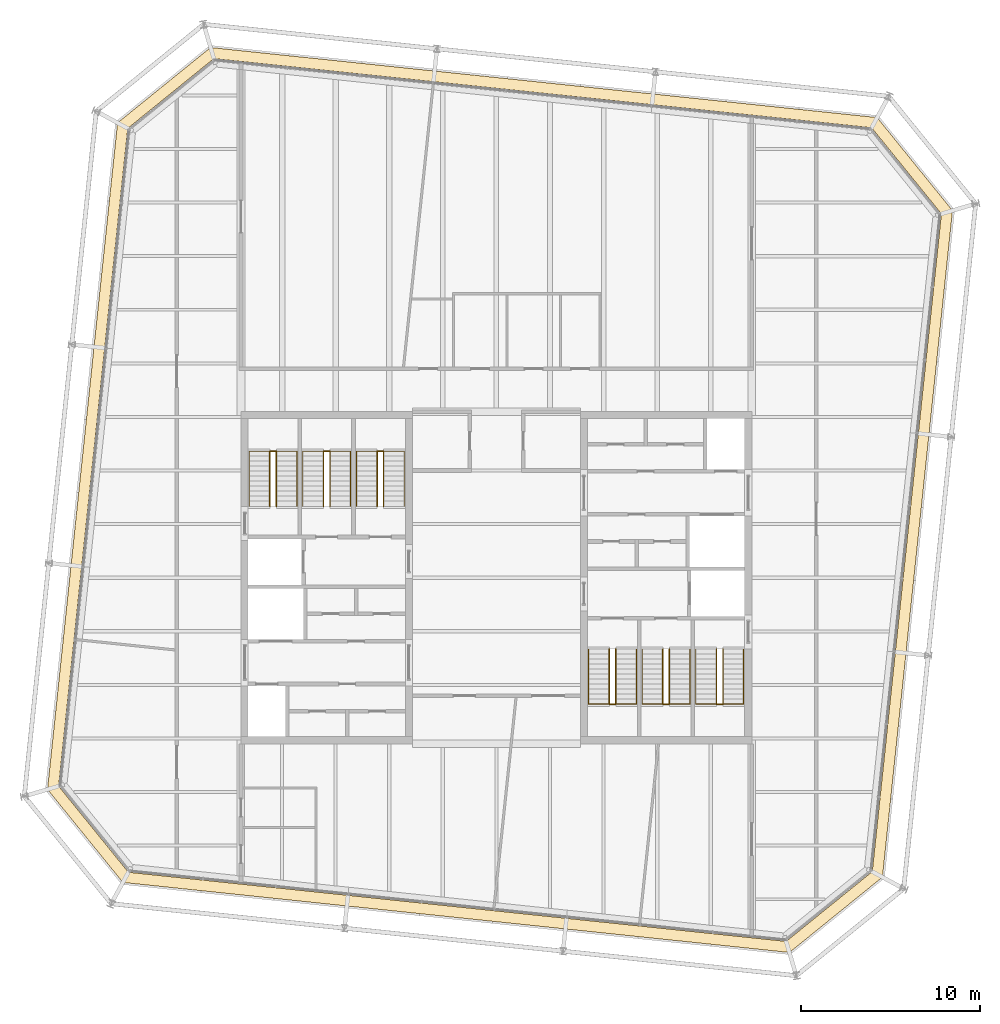
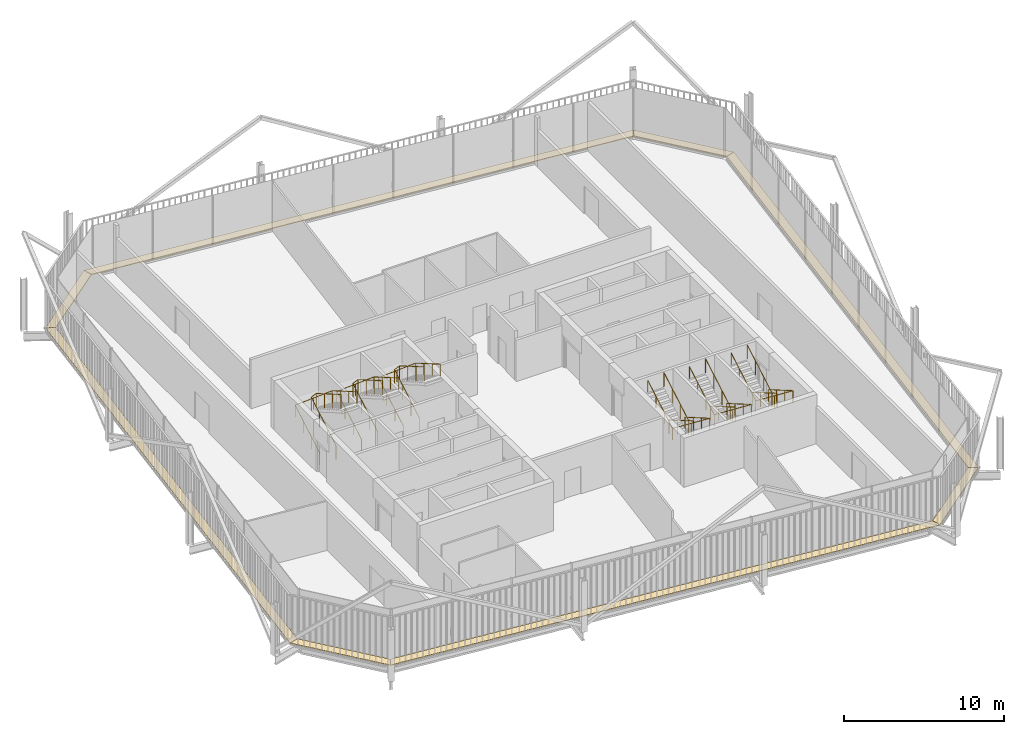
# One storey, part 21 of 21: 12 railings, 8 coverings.
"""IFC4 building model written with IfcOpenShell, lengths in metres."""

from ifc_helpers import new_model, si_unit, direction, frame, origin, origin_2d, place, context, subcontext, project, spatial, polyline, circle, outline, extrude, material, layer, layer_set, type_object, element, save


model = new_model("IFC4")

# Units and contexts
model_context = context("Model", 3, precision=1e-05, world=origin(), true_north=direction((0.0, 1.0)))
body_context = subcontext(model_context, "Body", "Model", "MODEL_VIEW")
ifc_project = project(units=[si_unit("LENGTHUNIT", "METRE"), si_unit("AREAUNIT", "SQUARE_METRE"), si_unit("VOLUMEUNIT", "CUBIC_METRE"), si_unit("PLANEANGLEUNIT", "RADIAN"), si_unit("MASSUNIT", "GRAM", prefix="KILO")], contexts=[model_context])

# Site, building, storey
site_placement = place(None, origin())
site = spatial("IfcSite", under=ifc_project, at=site_placement, CompositionType="ELEMENT")
building_placement = place(site_placement, origin())
building = spatial("IfcBuilding", under=site, at=building_placement, Name="Millrace Tower", CompositionType="ELEMENT")
storey_placement = place(building_placement, frame((0.0, 0.0, 326.5)))
storey = spatial("IfcBuildingStorey", under=building, at=storey_placement, Name="L75", CompositionType="ELEMENT", Elevation=326.5)

# Coverings
ifc_material_1 = material(Name="Steel ASTM A36", Category="steel")
ifc_layer = layer(ifc_material_1, 0.050048828125)
ifc_layer_set = layer_set([ifc_layer], Name="Steel ASTM A36")
covering_type = type_object("IfcCoveringType", Name="CAVITY CATWALK steel grating", PredefinedType="FLOORING", material=ifc_layer_set)
placement = place(storey_placement, frame((0.0, 0.0, 0.10009765625)))
element("IfcCovering", 1, at=placement, inside=storey, type_object=covering_type, Name="Cavity catwalk grating E-F01 L75 1", PredefinedType="FLOORING", context=body_context, shape_type="SweptSolid", body=[
    extrude(outline(polyline([(-25.13232421875, -11.8515625), (-20.914306640625, -17.060302734375), (-20.6044921875, -16.489501953125), (-24.509521484375, -11.6669921875), (-25.13232421875, -11.8515625)])), origin(), (0.0, 0.0, 1.0), 0.0498046875),
])
element("IfcCovering", 2, at=placement, inside=storey, type_object=covering_type, Name="Cavity catwalk grating E-F02 L75 1", PredefinedType="FLOORING", context=body_context, shape_type="SweptSolid", body=[
    extrude(outline(polyline([(-20.914306640625, -17.060302734375), (16.4013671875, -20.982177734375), (16.217041015625, -20.359619140625), (-20.6044921875, -16.489501953125), (-20.914306640625, -17.060302734375)])), origin(), (0.0, 0.0, 1.0), 0.0498046875),
])
element("IfcCovering", 3, at=placement, inside=storey, type_object=covering_type, Name="Cavity catwalk grating E-F03 L75 1", PredefinedType="FLOORING", context=body_context, shape_type="SweptSolid", body=[
    extrude(outline(polyline([(16.4013671875, -20.982177734375), (21.6103515625, -16.764404296875), (21.03955078125, -16.454345703125), (16.217041015625, -20.359619140625), (16.4013671875, -20.982177734375)])), origin(), (0.0, 0.0, 1.0), 0.0498046875),
])
element("IfcCovering", 4, at=placement, inside=storey, type_object=covering_type, Name="Cavity catwalk grating E-F04 L75 1", PredefinedType="FLOORING", context=body_context, shape_type="SweptSolid", body=[
    extrude(outline(polyline([(21.6103515625, -16.764404296875), (25.5322265625, 20.551513671875), (24.90966796875, 20.366943359375), (21.03955078125, -16.454345703125), (21.6103515625, -16.764404296875)])), origin(), (0.0, 0.0, 1.0), 0.0498046875),
])
element("IfcCovering", 5, at=placement, inside=storey, type_object=covering_type, Name="Cavity catwalk grating E-F05 L75 1", PredefinedType="FLOORING", context=body_context, shape_type="SweptSolid", body=[
    extrude(outline(polyline([(25.5322265625, 20.551513671875), (21.314208984375, 25.76025390625), (21.00439453125, 25.189453125), (24.90966796875, 20.366943359375), (25.5322265625, 20.551513671875)])), origin(), (0.0, 0.0, 1.0), 0.0498046875),
])
element("IfcCovering", 6, at=placement, inside=storey, type_object=covering_type, Name="Cavity catwalk grating E-F06 L75 1", PredefinedType="FLOORING", context=body_context, shape_type="SweptSolid", body=[
    extrude(outline(polyline([(21.314208984375, 25.76025390625), (-16.00146484375, 29.682373046875), (-15.817138671875, 29.0595703125), (21.00439453125, 25.189453125), (21.314208984375, 25.76025390625)])), origin(), (0.0, 0.0, 1.0), 0.0498046875),
])
element("IfcCovering", 7, at=placement, inside=storey, type_object=covering_type, Name="Cavity catwalk grating E-F07 L75 1", PredefinedType="FLOORING", context=body_context, shape_type="SweptSolid", body=[
    extrude(outline(polyline([(-16.00146484375, 29.682373046875), (-21.210205078125, 25.46435546875), (-20.639404296875, 25.154541015625), (-15.817138671875, 29.0595703125), (-16.00146484375, 29.682373046875)])), origin(), (0.0, 0.0, 1.0), 0.0498046875),
])
element("IfcCovering", 8, at=placement, inside=storey, type_object=covering_type, Name="Cavity catwalk grating E-F08 L75 1", PredefinedType="FLOORING", context=body_context, shape_type="SweptSolid", body=[
    extrude(outline(polyline([(-21.210205078125, 25.46435546875), (-25.13232421875, -11.8515625), (-24.509521484375, -11.6669921875), (-20.639404296875, 25.154541015625), (-21.210205078125, 25.46435546875)])), origin(), (0.0, 0.0, 1.0), 0.0498046875),
])

# Railings
ifc_material_2 = material(Name="Stainless steel ASTM A240 type 316", Category="steel")
railing_type_1 = type_object("IfcRailingType", Name="Stair guard 1100", PredefinedType="GUARDRAIL", material=ifc_material_2)
for number, where, name in (
    (9, (-12.679931640625, 4.0, 0.16259765625), "Stair guard 1 W L75"),
    (10, (-9.679931640625, 4.0, 0.16259765625), "Stair guard 2 W L75"),
    (11, (-6.679931640625, 4.0, 0.16259765625), "Stair guard 3 W L75"),
):
    element("IfcRailing", number, at=place(storey_placement, frame(where)), inside=storey, type_object=railing_type_1, Name=name, PredefinedType="GUARDRAIL", context=body_context, shape_type="SweptSolid", body=[
        extrude(circle(Radius=0.02392578125, at=origin_2d()), frame((0.0, 0.0, 1.076171875), z_axis=(0.0, 0.864920483161, 0.501908913857), x_axis=(-1.0, 0.0, 0.0)), (0.0, 0.0, 1.0), 3.56103515625),
        extrude(circle(Radius=0.02392578125, at=origin_2d()), frame((0.0, 3.080078125, 2.86328125), z_axis=(0.911295775139, 0.0, 0.411752365158), x_axis=(0.0, 1.0, 0.0)), (0.0, 0.0, 1.0), 0.394775390625),
        extrude(circle(Radius=0.02392578125, at=origin_2d()), frame((0.35986328125, 3.080078125, 3.02587890625), z_axis=(0.0, -0.864920483161, 0.501908913857), x_axis=(1.0, 0.0, 0.0)), (0.0, 0.0, 1.0), 3.56103515625),
        extrude(circle(Radius=0.02099609375, at=origin_2d()), origin(), (0.0, 0.0, 1.0), 1.052001953125),
        extrude(circle(Radius=0.02099609375, at=origin_2d()), frame((0.0, 1.026611328125, 0.595703125)), (0.0, 0.0, 1.0), 1.052001953125),
        extrude(circle(Radius=0.02099609375, at=origin_2d()), frame((0.0, 2.053466796875, 1.191650390625)), (0.0, 0.0, 1.0), 1.052001953125),
        extrude(circle(Radius=0.02099609375, at=origin_2d()), frame((0.0, 3.080078125, 1.787353515625)), (0.0, 0.0, 1.0), 1.052001953125),
        extrude(circle(Radius=0.02099609375, at=origin_2d()), frame((0.35986328125, 3.080078125, 1.949951171875)), (0.0, 0.0, 1.0), 1.052001953125),
        extrude(circle(Radius=0.02099609375, at=origin_2d()), frame((0.35986328125, 2.053466796875, 2.545654296875)), (0.0, 0.0, 1.0), 1.052001953125),
        extrude(circle(Radius=0.02099609375, at=origin_2d()), frame((0.35986328125, 1.026611328125, 3.1416015625)), (0.0, 0.0, 1.0), 1.052001953125),
        extrude(circle(Radius=0.02099609375, at=origin_2d()), frame((0.35986328125, 0.0, 3.7373046875)), (0.0, 0.0, 1.0), 1.052001953125),
    ])
for number, where, name in (
    (12, (12.679931640625, -4.0, 0.16259765625), "Stair guard 1 E L75"),
    (13, (9.679931640625, -4.0, 0.16259765625), "Stair guard 2 E L75"),
    (14, (6.679931640625, -4.0, 0.16259765625), "Stair guard 3 E L75"),
):
    element("IfcRailing", number, at=place(storey_placement, frame(where)), inside=storey, type_object=railing_type_1, Name=name, PredefinedType="GUARDRAIL", context=body_context, shape_type="SweptSolid", body=[
        extrude(circle(Radius=0.02392578125, at=origin_2d()), frame((0.0, 0.0, 1.076171875), z_axis=(0.0, -0.864920483161, 0.501908913857), x_axis=(1.0, 0.0, 0.0)), (0.0, 0.0, 1.0), 3.56103515625),
        extrude(circle(Radius=0.02392578125, at=origin_2d()), frame((0.0, -3.080078125, 2.86328125), z_axis=(-0.911295775139, 0.0, 0.411752365158), x_axis=(0.0, -1.0, 0.0)), (0.0, 0.0, 1.0), 0.394775390625),
        extrude(circle(Radius=0.02392578125, at=origin_2d()), frame((-0.35986328125, -3.080078125, 3.02587890625), z_axis=(0.0, 0.864920483161, 0.501908913857), x_axis=(-1.0, 0.0, 0.0)), (0.0, 0.0, 1.0), 3.56103515625),
        extrude(circle(Radius=0.02099609375, at=origin_2d()), origin(), (0.0, 0.0, 1.0), 1.052001953125),
        extrude(circle(Radius=0.02099609375, at=origin_2d()), frame((0.0, -1.026611328125, 0.595703125)), (0.0, 0.0, 1.0), 1.052001953125),
        extrude(circle(Radius=0.02099609375, at=origin_2d()), frame((0.0, -2.053466796875, 1.191650390625)), (0.0, 0.0, 1.0), 1.052001953125),
        extrude(circle(Radius=0.02099609375, at=origin_2d()), frame((0.0, -3.080078125, 1.787353515625)), (0.0, 0.0, 1.0), 1.052001953125),
        extrude(circle(Radius=0.02099609375, at=origin_2d()), frame((-0.35986328125, -3.080078125, 1.949951171875)), (0.0, 0.0, 1.0), 1.052001953125),
        extrude(circle(Radius=0.02099609375, at=origin_2d()), frame((-0.35986328125, -2.053466796875, 2.545654296875)), (0.0, 0.0, 1.0), 1.052001953125),
        extrude(circle(Radius=0.02099609375, at=origin_2d()), frame((-0.35986328125, -1.026611328125, 3.1416015625)), (0.0, 0.0, 1.0), 1.052001953125),
        extrude(circle(Radius=0.02099609375, at=origin_2d()), frame((-0.35986328125, 0.0, 3.7373046875)), (0.0, 0.0, 1.0), 1.052001953125),
    ])
ifc_material_3 = material(Name="Stainless steel ASTM A240 type 316", Category="steel")
railing_type_2 = type_object("IfcRailingType", Name="Stair handrail 900", PredefinedType="HANDRAIL", material=ifc_material_3)
railing_1_placement = place(storey_placement, frame((-13.840087890625, 4.0, 0.16259765625)))
element("IfcRailing", 15, at=railing_1_placement, inside=storey, type_object=railing_type_2, Name="Stair handrail 1 W L75", PredefinedType="HANDRAIL", context=body_context, shape_type="SweptSolid", body=[
    extrude(circle(Radius=0.02392578125, at=origin_2d()), frame((0.0, 0.0, 0.8759765625), z_axis=(0.0, 0.864920483161, 0.501908913857), x_axis=(-1.0, 0.0, 0.0)), (0.0, 0.0, 1.0), 3.56103515625),
    extrude(circle(Radius=0.02392578125, at=origin_2d()), frame((0.0, 3.080078125, 2.6630859375), z_axis=(0.998164834547, 0.0, 0.060555454528), x_axis=(0.0, 1.0, 0.0)), (0.0, 0.0, 1.0), 2.68505859375),
    extrude(circle(Radius=0.02392578125, at=origin_2d()), frame((2.68017578125, 3.080078125, 2.82568359375), z_axis=(0.0, -0.864920483161, 0.501908913857), x_axis=(1.0, 0.0, 0.0)), (0.0, 0.0, 1.0), 3.56103515625),
    extrude(circle(Radius=0.02099609375, at=origin_2d()), origin(), (0.0, 0.0, 1.0), 0.851806640625),
    extrude(circle(Radius=0.02099609375, at=origin_2d()), frame((0.0, 1.026611328125, 0.595703125)), (0.0, 0.0, 1.0), 0.851806640625),
    extrude(circle(Radius=0.02099609375, at=origin_2d()), frame((0.0, 2.053466796875, 1.191650390625)), (0.0, 0.0, 1.0), 0.851806640625),
    extrude(circle(Radius=0.02099609375, at=origin_2d()), frame((0.0, 3.080078125, 1.787353515625)), (0.0, 0.0, 1.0), 0.851806640625),
    extrude(circle(Radius=0.02099609375, at=origin_2d()), frame((1.340087890625, 3.080078125, 1.86865234375)), (0.0, 0.0, 1.0), 0.851806640625),
    extrude(circle(Radius=0.02099609375, at=origin_2d()), frame((2.68017578125, 3.080078125, 1.949951171875)), (0.0, 0.0, 1.0), 0.851806640625),
    extrude(circle(Radius=0.02099609375, at=origin_2d()), frame((2.68017578125, 2.053466796875, 2.545654296875)), (0.0, 0.0, 1.0), 0.851806640625),
    extrude(circle(Radius=0.02099609375, at=origin_2d()), frame((2.68017578125, 1.026611328125, 3.1416015625)), (0.0, 0.0, 1.0), 0.851806640625),
    extrude(circle(Radius=0.02099609375, at=origin_2d()), frame((2.68017578125, 0.0, 3.7373046875)), (0.0, 0.0, 1.0), 0.851806640625),
])
railing_2_placement = place(storey_placement, frame((-10.840087890625, 4.0, 0.16259765625)))
element("IfcRailing", 16, at=railing_2_placement, inside=storey, type_object=railing_type_2, Name="Stair handrail 2 W L75", PredefinedType="HANDRAIL", context=body_context, shape_type="SweptSolid", body=[
    extrude(circle(Radius=0.02392578125, at=origin_2d()), frame((0.0, 0.0, 0.8759765625), z_axis=(0.0, 0.864920483161, 0.501908913857), x_axis=(-1.0, 0.0, 0.0)), (0.0, 0.0, 1.0), 3.56103515625),
    extrude(circle(Radius=0.02392578125, at=origin_2d()), frame((0.0, 3.080078125, 2.6630859375), z_axis=(0.998164834547, 0.0, 0.060555454528), x_axis=(0.0, 1.0, 0.0)), (0.0, 0.0, 1.0), 2.68505859375),
    extrude(circle(Radius=0.02392578125, at=origin_2d()), frame((2.68017578125, 3.080078125, 2.82568359375), z_axis=(0.0, -0.864920483161, 0.501908913857), x_axis=(1.0, 0.0, 0.0)), (0.0, 0.0, 1.0), 3.56103515625),
    extrude(circle(Radius=0.02099609375, at=origin_2d()), origin(), (0.0, 0.0, 1.0), 0.851806640625),
    extrude(circle(Radius=0.02099609375, at=origin_2d()), frame((0.0, 1.026611328125, 0.595703125)), (0.0, 0.0, 1.0), 0.851806640625),
    extrude(circle(Radius=0.02099609375, at=origin_2d()), frame((0.0, 2.053466796875, 1.191650390625)), (0.0, 0.0, 1.0), 0.851806640625),
    extrude(circle(Radius=0.02099609375, at=origin_2d()), frame((0.0, 3.080078125, 1.787353515625)), (0.0, 0.0, 1.0), 0.851806640625),
    extrude(circle(Radius=0.02099609375, at=origin_2d()), frame((1.340087890625, 3.080078125, 1.86865234375)), (0.0, 0.0, 1.0), 0.851806640625),
    extrude(circle(Radius=0.02099609375, at=origin_2d()), frame((2.68017578125, 3.080078125, 1.949951171875)), (0.0, 0.0, 1.0), 0.851806640625),
    extrude(circle(Radius=0.02099609375, at=origin_2d()), frame((2.68017578125, 2.053466796875, 2.545654296875)), (0.0, 0.0, 1.0), 0.851806640625),
    extrude(circle(Radius=0.02099609375, at=origin_2d()), frame((2.68017578125, 1.026611328125, 3.1416015625)), (0.0, 0.0, 1.0), 0.851806640625),
    extrude(circle(Radius=0.02099609375, at=origin_2d()), frame((2.68017578125, 0.0, 3.7373046875)), (0.0, 0.0, 1.0), 0.851806640625),
])
railing_3_placement = place(storey_placement, frame((-7.840087890625, 4.0, 0.16259765625)))
element("IfcRailing", 17, at=railing_3_placement, inside=storey, type_object=railing_type_2, Name="Stair handrail 3 W L75", PredefinedType="HANDRAIL", context=body_context, shape_type="SweptSolid", body=[
    extrude(circle(Radius=0.02392578125, at=origin_2d()), frame((0.0, 0.0, 0.8759765625), z_axis=(0.0, 0.864920483161, 0.501908913857), x_axis=(-1.0, 0.0, 0.0)), (0.0, 0.0, 1.0), 3.56103515625),
    extrude(circle(Radius=0.02392578125, at=origin_2d()), frame((0.0, 3.080078125, 2.6630859375), z_axis=(0.998164834547, 0.0, 0.060555454528), x_axis=(0.0, 1.0, 0.0)), (0.0, 0.0, 1.0), 2.68505859375),
    extrude(circle(Radius=0.02392578125, at=origin_2d()), frame((2.68017578125, 3.080078125, 2.82568359375), z_axis=(0.0, -0.864920483161, 0.501908913857), x_axis=(1.0, 0.0, 0.0)), (0.0, 0.0, 1.0), 3.56103515625),
    extrude(circle(Radius=0.02099609375, at=origin_2d()), origin(), (0.0, 0.0, 1.0), 0.851806640625),
    extrude(circle(Radius=0.02099609375, at=origin_2d()), frame((0.0, 1.026611328125, 0.595703125)), (0.0, 0.0, 1.0), 0.851806640625),
    extrude(circle(Radius=0.02099609375, at=origin_2d()), frame((0.0, 2.053466796875, 1.191650390625)), (0.0, 0.0, 1.0), 0.851806640625),
    extrude(circle(Radius=0.02099609375, at=origin_2d()), frame((0.0, 3.080078125, 1.787353515625)), (0.0, 0.0, 1.0), 0.851806640625),
    extrude(circle(Radius=0.02099609375, at=origin_2d()), frame((1.340087890625, 3.080078125, 1.86865234375)), (0.0, 0.0, 1.0), 0.851806640625),
    extrude(circle(Radius=0.02099609375, at=origin_2d()), frame((2.68017578125, 3.080078125, 1.949951171875)), (0.0, 0.0, 1.0), 0.851806640625),
    extrude(circle(Radius=0.02099609375, at=origin_2d()), frame((2.68017578125, 2.053466796875, 2.545654296875)), (0.0, 0.0, 1.0), 0.851806640625),
    extrude(circle(Radius=0.02099609375, at=origin_2d()), frame((2.68017578125, 1.026611328125, 3.1416015625)), (0.0, 0.0, 1.0), 0.851806640625),
    extrude(circle(Radius=0.02099609375, at=origin_2d()), frame((2.68017578125, 0.0, 3.7373046875)), (0.0, 0.0, 1.0), 0.851806640625),
])
railing_4_placement = place(storey_placement, frame((13.840087890625, -4.0, 0.16259765625)))
element("IfcRailing", 18, at=railing_4_placement, inside=storey, type_object=railing_type_2, Name="Stair handrail 1 E L75", PredefinedType="HANDRAIL", context=body_context, shape_type="SweptSolid", body=[
    extrude(circle(Radius=0.02392578125, at=origin_2d()), frame((0.0, 0.0, 0.8759765625), z_axis=(0.0, -0.864920483161, 0.501908913857), x_axis=(1.0, 0.0, 0.0)), (0.0, 0.0, 1.0), 3.56103515625),
    extrude(circle(Radius=0.02392578125, at=origin_2d()), frame((0.0, -3.080078125, 2.6630859375), z_axis=(-0.998164834547, 0.0, 0.060555454528), x_axis=(0.0, -1.0, 0.0)), (0.0, 0.0, 1.0), 2.68505859375),
    extrude(circle(Radius=0.02392578125, at=origin_2d()), frame((-2.68017578125, -3.080078125, 2.82568359375), z_axis=(0.0, 0.864920483161, 0.501908913857), x_axis=(-1.0, 0.0, 0.0)), (0.0, 0.0, 1.0), 3.56103515625),
    extrude(circle(Radius=0.02099609375, at=origin_2d()), origin(), (0.0, 0.0, 1.0), 0.851806640625),
    extrude(circle(Radius=0.02099609375, at=origin_2d()), frame((0.0, -1.026611328125, 0.595703125)), (0.0, 0.0, 1.0), 0.851806640625),
    extrude(circle(Radius=0.02099609375, at=origin_2d()), frame((0.0, -2.053466796875, 1.191650390625)), (0.0, 0.0, 1.0), 0.851806640625),
    extrude(circle(Radius=0.02099609375, at=origin_2d()), frame((0.0, -3.080078125, 1.787353515625)), (0.0, 0.0, 1.0), 0.851806640625),
    extrude(circle(Radius=0.02099609375, at=origin_2d()), frame((-1.340087890625, -3.080078125, 1.86865234375)), (0.0, 0.0, 1.0), 0.851806640625),
    extrude(circle(Radius=0.02099609375, at=origin_2d()), frame((-2.68017578125, -3.080078125, 1.949951171875)), (0.0, 0.0, 1.0), 0.851806640625),
    extrude(circle(Radius=0.02099609375, at=origin_2d()), frame((-2.68017578125, -2.053466796875, 2.545654296875)), (0.0, 0.0, 1.0), 0.851806640625),
    extrude(circle(Radius=0.02099609375, at=origin_2d()), frame((-2.68017578125, -1.026611328125, 3.1416015625)), (0.0, 0.0, 1.0), 0.851806640625),
    extrude(circle(Radius=0.02099609375, at=origin_2d()), frame((-2.68017578125, 0.0, 3.7373046875)), (0.0, 0.0, 1.0), 0.851806640625),
])
railing_5_placement = place(storey_placement, frame((10.840087890625, -4.0, 0.16259765625)))
element("IfcRailing", 19, at=railing_5_placement, inside=storey, type_object=railing_type_2, Name="Stair handrail 2 E L75", PredefinedType="HANDRAIL", context=body_context, shape_type="SweptSolid", body=[
    extrude(circle(Radius=0.02392578125, at=origin_2d()), frame((0.0, 0.0, 0.8759765625), z_axis=(0.0, -0.864920483161, 0.501908913857), x_axis=(1.0, 0.0, 0.0)), (0.0, 0.0, 1.0), 3.56103515625),
    extrude(circle(Radius=0.02392578125, at=origin_2d()), frame((0.0, -3.080078125, 2.6630859375), z_axis=(-0.998164834547, 0.0, 0.060555454528), x_axis=(0.0, -1.0, 0.0)), (0.0, 0.0, 1.0), 2.68505859375),
    extrude(circle(Radius=0.02392578125, at=origin_2d()), frame((-2.68017578125, -3.080078125, 2.82568359375), z_axis=(0.0, 0.864920483161, 0.501908913857), x_axis=(-1.0, 0.0, 0.0)), (0.0, 0.0, 1.0), 3.56103515625),
    extrude(circle(Radius=0.02099609375, at=origin_2d()), origin(), (0.0, 0.0, 1.0), 0.851806640625),
    extrude(circle(Radius=0.02099609375, at=origin_2d()), frame((0.0, -1.026611328125, 0.595703125)), (0.0, 0.0, 1.0), 0.851806640625),
    extrude(circle(Radius=0.02099609375, at=origin_2d()), frame((0.0, -2.053466796875, 1.191650390625)), (0.0, 0.0, 1.0), 0.851806640625),
    extrude(circle(Radius=0.02099609375, at=origin_2d()), frame((0.0, -3.080078125, 1.787353515625)), (0.0, 0.0, 1.0), 0.851806640625),
    extrude(circle(Radius=0.02099609375, at=origin_2d()), frame((-1.340087890625, -3.080078125, 1.86865234375)), (0.0, 0.0, 1.0), 0.851806640625),
    extrude(circle(Radius=0.02099609375, at=origin_2d()), frame((-2.68017578125, -3.080078125, 1.949951171875)), (0.0, 0.0, 1.0), 0.851806640625),
    extrude(circle(Radius=0.02099609375, at=origin_2d()), frame((-2.68017578125, -2.053466796875, 2.545654296875)), (0.0, 0.0, 1.0), 0.851806640625),
    extrude(circle(Radius=0.02099609375, at=origin_2d()), frame((-2.68017578125, -1.026611328125, 3.1416015625)), (0.0, 0.0, 1.0), 0.851806640625),
    extrude(circle(Radius=0.02099609375, at=origin_2d()), frame((-2.68017578125, 0.0, 3.7373046875)), (0.0, 0.0, 1.0), 0.851806640625),
])
railing_6_placement = place(storey_placement, frame((7.840087890625, -4.0, 0.16259765625)))
element("IfcRailing", 20, at=railing_6_placement, inside=storey, type_object=railing_type_2, Name="Stair handrail 3 E L75", PredefinedType="HANDRAIL", context=body_context, shape_type="SweptSolid", body=[
    extrude(circle(Radius=0.02392578125, at=origin_2d()), frame((0.0, 0.0, 0.8759765625), z_axis=(0.0, -0.864920483161, 0.501908913857), x_axis=(1.0, 0.0, 0.0)), (0.0, 0.0, 1.0), 3.56103515625),
    extrude(circle(Radius=0.02392578125, at=origin_2d()), frame((0.0, -3.080078125, 2.6630859375), z_axis=(-0.998164834547, 0.0, 0.060555454528), x_axis=(0.0, -1.0, 0.0)), (0.0, 0.0, 1.0), 2.68505859375),
    extrude(circle(Radius=0.02392578125, at=origin_2d()), frame((-2.68017578125, -3.080078125, 2.82568359375), z_axis=(0.0, 0.864920483161, 0.501908913857), x_axis=(-1.0, 0.0, 0.0)), (0.0, 0.0, 1.0), 3.56103515625),
    extrude(circle(Radius=0.02099609375, at=origin_2d()), origin(), (0.0, 0.0, 1.0), 0.851806640625),
    extrude(circle(Radius=0.02099609375, at=origin_2d()), frame((0.0, -1.026611328125, 0.595703125)), (0.0, 0.0, 1.0), 0.851806640625),
    extrude(circle(Radius=0.02099609375, at=origin_2d()), frame((0.0, -2.053466796875, 1.191650390625)), (0.0, 0.0, 1.0), 0.851806640625),
    extrude(circle(Radius=0.02099609375, at=origin_2d()), frame((0.0, -3.080078125, 1.787353515625)), (0.0, 0.0, 1.0), 0.851806640625),
    extrude(circle(Radius=0.02099609375, at=origin_2d()), frame((-1.340087890625, -3.080078125, 1.86865234375)), (0.0, 0.0, 1.0), 0.851806640625),
    extrude(circle(Radius=0.02099609375, at=origin_2d()), frame((-2.68017578125, -3.080078125, 1.949951171875)), (0.0, 0.0, 1.0), 0.851806640625),
    extrude(circle(Radius=0.02099609375, at=origin_2d()), frame((-2.68017578125, -2.053466796875, 2.545654296875)), (0.0, 0.0, 1.0), 0.851806640625),
    extrude(circle(Radius=0.02099609375, at=origin_2d()), frame((-2.68017578125, -1.026611328125, 3.1416015625)), (0.0, 0.0, 1.0), 0.851806640625),
    extrude(circle(Radius=0.02099609375, at=origin_2d()), frame((-2.68017578125, 0.0, 3.7373046875)), (0.0, 0.0, 1.0), 0.851806640625),
])

save(model, "model.ifc")
